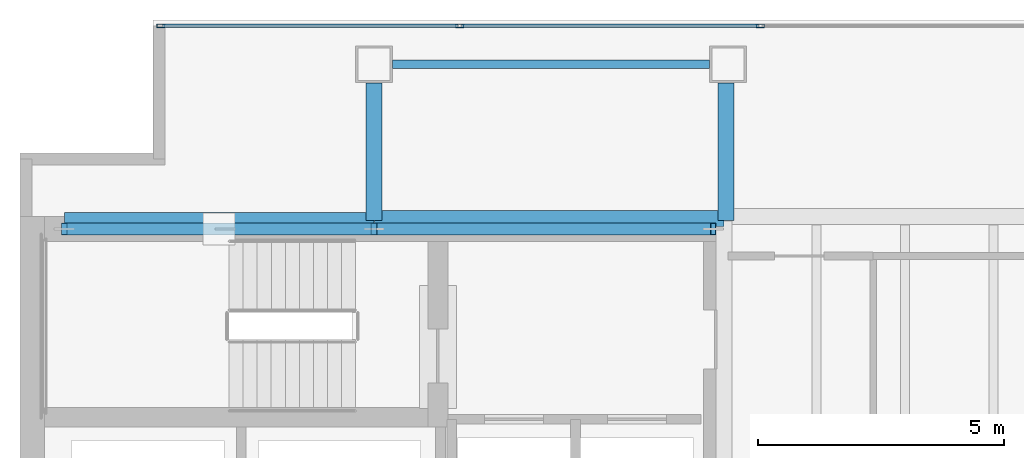
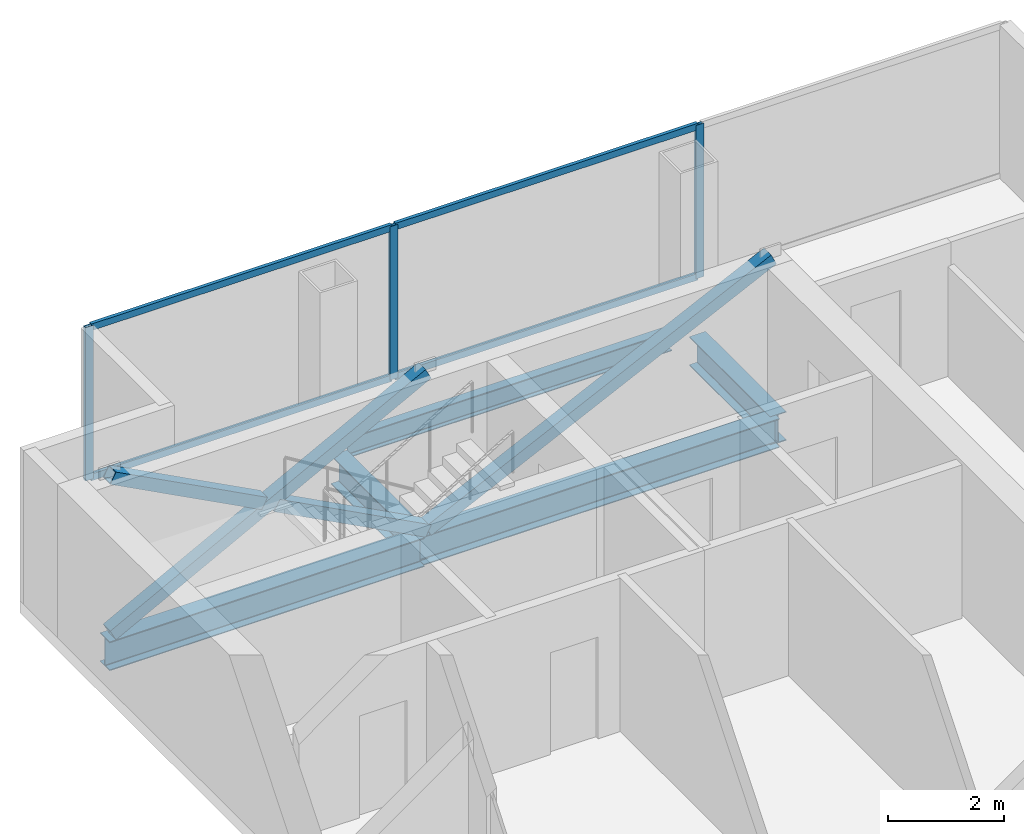
# One storey, part 17 of 23: 11 members, 5 beams, 1 element without a shape of its own.
"""IFC4 building model written with IfcOpenShell, lengths in metres."""

from ifc_helpers import new_model, si_unit, direction, frame, origin, origin_2d, place, context, subcontext, project, spatial, hollow_rectangle, i_section, extrude, material, material_profile, profile_set, type_object, element, aggregate, save


model = new_model("IFC4")

# Units and contexts
model_context = context("Model", 3, precision=1e-05, world=origin(), true_north=direction((0.0, 1.0)))
body_context = subcontext(model_context, "Body", "Model", "MODEL_VIEW")
ifc_project = project(units=[si_unit("LENGTHUNIT", "METRE"), si_unit("AREAUNIT", "SQUARE_METRE"), si_unit("VOLUMEUNIT", "CUBIC_METRE"), si_unit("PLANEANGLEUNIT", "RADIAN"), si_unit("MASSUNIT", "GRAM", prefix="KILO")], contexts=[model_context])

# Site, building, storey
site_placement = place(None, origin())
site = spatial("IfcSite", under=ifc_project, at=site_placement, CompositionType="ELEMENT")
building_placement = place(site_placement, origin())
building = spatial("IfcBuilding", under=site, at=building_placement, Name="Cobrela Telecom Tower", CompositionType="ELEMENT")
storey_placement = place(building_placement, frame((0.0, 0.0, 229.25)))
storey = spatial("IfcBuildingStorey", under=building, at=storey_placement, Name="L59", CompositionType="ELEMENT", Elevation=229.25)

# Beams
ifc_material_1 = material(Name="Steel ASTM A992 Grade 50", Category="steel")
ifc_material_profile_1 = material_profile(ifc_material_1, i_section(OverallWidth=0.324951171875, OverallDepth=0.612060546875, WebThickness=0.0126953125, FlangeThickness=0.01904296875, FilletRadius=0.014892578125, at=origin_2d()), Name="W24X104")
ifc_profile_set_1 = profile_set([ifc_material_profile_1], Name="Steel ASTM A992 Grade 50")
beam_type_1 = type_object("IfcBeamType", Name="BM-GIRD-07", PredefinedType="USERDEFINED", material=ifc_profile_set_1)
beam_1_placement = place(storey_placement, frame((0.905029296875, 35.919921875, -0.56591796875), z_axis=(1.0, 0.0, 0.0), x_axis=(0.0, 1.0, 0.0)))
element("IfcBeam", 1, at=beam_1_placement, inside=storey, type_object=beam_type_1, Name="L59 Primary Girder X20", ObjectType="GIRDER", PredefinedType="USERDEFINED", context=body_context, shape_type="SweptSolid", body=[
    extrude(i_section(OverallWidth=0.324951171875, OverallDepth=0.612060546875, WebThickness=0.0126953125, FlangeThickness=0.01904296875, FilletRadius=0.014892578125, at=origin_2d()), origin(), (0.0, 0.0, 1.0), 6.2900390625),
])
beam_2_placement = place(storey_placement, frame((7.205078125, 35.9599609375, -0.56591796875), z_axis=(1.0, 0.0, 0.0), x_axis=(0.0, 1.0, 0.0)))
element("IfcBeam", 2, at=beam_2_placement, inside=storey, type_object=beam_type_1, Name="L59 Primary Girder X21", ObjectType="GIRDER", PredefinedType="USERDEFINED", context=body_context, shape_type="SweptSolid", body=[
    extrude(i_section(OverallWidth=0.324951171875, OverallDepth=0.612060546875, WebThickness=0.0126953125, FlangeThickness=0.01904296875, FilletRadius=0.014892578125, at=origin_2d()), origin(), (0.0, 0.0, 1.0), 7.10986328125),
])
for number, where, z_axis, x_axis, name in (
    (3, (7.199951171875, 35.925048828125, -0.56591796875), (0.0, 1.0, 0.0), (-1.0, 0.0, 0.0), "L59 Primary Girder Y25"),
    (4, (14.360107421875, 35.925048828125, -0.56591796875), (0.0, 1.0, 0.0), (-1.0, 0.0, 0.0), "L59 Primary Girder Y31"),
):
    element("IfcBeam", number, at=place(storey_placement, frame(where, z_axis=z_axis, x_axis=x_axis)), inside=storey, type_object=beam_type_1, Name=name, ObjectType="GIRDER", PredefinedType="USERDEFINED", context=body_context, shape_type="SweptSolid", body=[
        extrude(i_section(OverallWidth=0.324951171875, OverallDepth=0.612060546875, WebThickness=0.0126953125, FlangeThickness=0.01904296875, FilletRadius=0.014892578125, at=origin_2d()), origin(), (0.0, 0.0, 1.0), 2.794921875),
    ])
ifc_material_profile_2 = material_profile(ifc_material_1, i_section(OverallWidth=0.179931640625, OverallDepth=0.4169921875, WebThickness=0.010986328125, FlangeThickness=0.01806640625, FilletRadius=0.011962890625, at=origin_2d()), Name="W16X57")
ifc_profile_set_2 = profile_set([ifc_material_profile_2], Name="Steel ASTM A992 Grade 50")
beam_type_2 = type_object("IfcBeamType", Name="BM-SPAND-06", PredefinedType="SPANDREL", material=ifc_profile_set_2)
beam_3_placement = place(storey_placement, frame((7.580078125, 39.10009765625, -0.468505859375), z_axis=(1.0, 0.0, 0.0), x_axis=(0.0, 1.0, 0.0)))
element("IfcBeam", 5, at=beam_3_placement, inside=storey, type_object=beam_type_2, Name="L59 Perimeter Spandrel X23", PredefinedType="SPANDREL", context=body_context, shape_type="SweptSolid", body=[
    extrude(i_section(OverallWidth=0.179931640625, OverallDepth=0.4169921875, WebThickness=0.010986328125, FlangeThickness=0.01806640625, FilletRadius=0.011962890625, at=origin_2d()), origin(), (0.0, 0.0, 1.0), 6.43994140625),
])

# Curtain wall, members
ifc_material_2 = material(Name="Anodized Bronze Aluminium 6063-T6", Category="aluminium")
curtain_wall_type = type_object("IfcCurtainWallType", Name="CW-SYS-OFF-LO", PredefinedType="USERDEFINED", material=ifc_material_2)
curtain_wall_placement = place(storey_placement, origin())
curtain_wall = element("IfcCurtainWall", 6, at=curtain_wall_placement, inside=storey, type_object=curtain_wall_type, Name="L59 Unitised Bronze Curtain Wall 07", ObjectType="UNITISED CURTAIN WALL", PredefinedType="USERDEFINED")
ifc_material_profile_3 = material_profile(ifc_material_2, hollow_rectangle(XDim=0.070068359375, YDim=0.159912109375, WallThickness=0.00390625, at=origin_2d()), Name="ALU 70x160x4")
ifc_profile_set_3 = profile_set([ifc_material_profile_3], Name="Anodized Bronze Aluminium 6063-T6")
member_type_1 = type_object("IfcMemberType", Name="CW-SYS-OFF-LO-MUL", PredefinedType="MULLION", material=ifc_profile_set_3)
member_1_placement = place(storey_placement, frame((2.864990234375, 39.8798828125, 0.0), z_axis=(0.0, 0.0, 1.0), x_axis=(0.0, 1.0, 0.0)))
member_1 = element("IfcMember", 7, at=member_1_placement, type_object=member_type_1, Name="CW-OFF-LO mullion 1", PredefinedType="MULLION", context=body_context, shape_type="SweptSolid", body=[
    extrude(hollow_rectangle(XDim=0.070068359375, YDim=0.159912109375, WallThickness=0.00390625, at=origin_2d()), origin(), (0.0, 0.0, 1.0), 3.239990234375),
])
member_2_placement = place(storey_placement, frame((8.943359375, 39.8798828125, 0.0), z_axis=(0.0, 0.0, 1.0), x_axis=(0.0, 1.0, 0.0)))
member_2 = element("IfcMember", 8, at=member_2_placement, type_object=member_type_1, Name="CW-OFF-LO mullion 2", PredefinedType="MULLION", context=body_context, shape_type="SweptSolid", body=[
    extrude(hollow_rectangle(XDim=0.070068359375, YDim=0.159912109375, WallThickness=0.00390625, at=origin_2d()), origin(), (0.0, 0.0, 1.0), 3.239990234375),
])
member_3_placement = place(storey_placement, frame((15.056640625, 39.8798828125, 0.0), z_axis=(0.0, 0.0, 1.0), x_axis=(0.0, 1.0, 0.0)))
member_3 = element("IfcMember", 9, at=member_3_placement, type_object=member_type_1, Name="CW-OFF-LO mullion 3", PredefinedType="MULLION", context=body_context, shape_type="SweptSolid", body=[
    extrude(hollow_rectangle(XDim=0.070068359375, YDim=0.159912109375, WallThickness=0.00390625, at=origin_2d()), origin(), (0.0, 0.0, 1.0), 3.239990234375),
])
ifc_material_profile_4 = material_profile(ifc_material_2, hollow_rectangle(XDim=0.070068359375, YDim=0.139892578125, WallThickness=0.00390625, at=origin_2d()), Name="ALU 70x140x4")
ifc_profile_set_4 = profile_set([ifc_material_profile_4], Name="Anodized Bronze Aluminium 6063-T6")
member_type_2 = type_object("IfcMemberType", Name="CW-SYS-OFF-LO-TRN", PredefinedType="USERDEFINED", material=ifc_profile_set_4)
member_4_placement = place(storey_placement, frame((2.89990234375, 39.8798828125, 0.034912109375), z_axis=(1.0, 0.0, 0.0), x_axis=(0.0, 1.0, 0.0)))
member_4 = element("IfcMember", 10, at=member_4_placement, type_object=member_type_2, Name="CW-OFF-LO transom 1.1", ObjectType="TRANSOM", PredefinedType="USERDEFINED", context=body_context, shape_type="SweptSolid", body=[
    extrude(hollow_rectangle(XDim=0.070068359375, YDim=0.139892578125, WallThickness=0.00390625, at=origin_2d()), origin(), (0.0, 0.0, 1.0), 6.008544921875),
])
member_5_placement = place(storey_placement, frame((2.89990234375, 39.8798828125, 3.205078125), z_axis=(1.0, 0.0, 0.0), x_axis=(0.0, 1.0, 0.0)))
member_5 = element("IfcMember", 11, at=member_5_placement, type_object=member_type_2, Name="CW-OFF-LO transom 1.2", ObjectType="TRANSOM", PredefinedType="USERDEFINED", context=body_context, shape_type="SweptSolid", body=[
    extrude(hollow_rectangle(XDim=0.070068359375, YDim=0.139892578125, WallThickness=0.00390625, at=origin_2d()), origin(), (0.0, 0.0, 1.0), 6.008544921875),
])
member_6_placement = place(storey_placement, frame((8.978271484375, 39.8798828125, 0.034912109375), z_axis=(1.0, 0.0, 0.0), x_axis=(0.0, 1.0, 0.0)))
member_6 = element("IfcMember", 12, at=member_6_placement, type_object=member_type_2, Name="CW-OFF-LO transom 2.1", ObjectType="TRANSOM", PredefinedType="USERDEFINED", context=body_context, shape_type="SweptSolid", body=[
    extrude(hollow_rectangle(XDim=0.070068359375, YDim=0.139892578125, WallThickness=0.00390625, at=origin_2d()), origin(), (0.0, 0.0, 1.0), 6.04345703125),
])
member_7_placement = place(storey_placement, frame((8.978271484375, 39.8798828125, 3.205078125), z_axis=(1.0, 0.0, 0.0), x_axis=(0.0, 1.0, 0.0)))
member_7 = element("IfcMember", 13, at=member_7_placement, type_object=member_type_2, Name="CW-OFF-LO transom 2.2", ObjectType="TRANSOM", PredefinedType="USERDEFINED", context=body_context, shape_type="SweptSolid", body=[
    extrude(hollow_rectangle(XDim=0.070068359375, YDim=0.139892578125, WallThickness=0.00390625, at=origin_2d()), origin(), (0.0, 0.0, 1.0), 6.04345703125),
])
aggregate(curtain_wall, [member_1, member_2, member_3, member_4, member_5, member_6, member_7])

# Members
ifc_material_3 = material(Name="Steel ASTM A572 Grade 50", Category="steel")
ifc_material_profile_5 = material_profile(ifc_material_3, hollow_rectangle(XDim=0.25, YDim=0.25, WallThickness=0.013916015625, at=origin_2d()), Name="HSS 250x250x14")
ifc_profile_set_5 = profile_set([ifc_material_profile_5], Name="Steel ASTM A572 Grade 50")
member_type_3 = type_object("IfcMemberType", Name="MBR-EXO-04", PredefinedType="BRACE", material=ifc_profile_set_5)
member_8_placement = place(storey_placement, frame((0.89990234375, 35.75, -0.0400390625), z_axis=(0.884671945606, 0.0, 0.466214058837), x_axis=(0.0, 1.0, 0.0)))
element("IfcMember", 14, at=member_8_placement, inside=storey, type_object=member_type_3, Name="L59 Core Flange Steel X-Brace Continuous A", PredefinedType="BRACE", context=body_context, shape_type="SweptSolid", body=[
    extrude(hollow_rectangle(XDim=0.25, YDim=0.25, WallThickness=0.013916015625, at=origin_2d()), origin(), (0.0, 0.0, 1.0), 7.121337890625),
])
for number, where, z_axis, x_axis, name in (
    (15, (7.199951171875, 35.75, -0.0400390625), (-0.884673479945, 0.0, 0.466211147317), (0.0, -1.0, 0.0), "L59 Core Flange Steel X-Brace Split B1"),
    (16, (3.926025390625, 35.75, 1.685302734375), (-0.884673479945, 0.0, 0.466211147317), (0.0, -1.0, 0.0), "L59 Core Flange Steel X-Brace Split B2"),
):
    element("IfcMember", number, at=place(storey_placement, frame(where, z_axis=z_axis, x_axis=x_axis)), inside=storey, type_object=member_type_3, Name=name, PredefinedType="BRACE", context=body_context, shape_type="SweptSolid", body=[
        extrude(hollow_rectangle(XDim=0.25, YDim=0.25, WallThickness=0.013916015625, at=origin_2d()), origin(), (0.0, 0.0, 1.0), 3.420654296875),
    ])
member_9_placement = place(storey_placement, frame((7.199951171875, 35.75, -0.0400390625), z_axis=(0.901115182893, 0.0, 0.43357978177), x_axis=(0.0, 1.0, 0.0)))
element("IfcMember", 17, at=member_9_placement, inside=storey, type_object=member_type_3, Name="L59 Core Flange Steel Brace N2", PredefinedType="BRACE", context=body_context, shape_type="SweptSolid", body=[
    extrude(hollow_rectangle(XDim=0.25, YDim=0.25, WallThickness=0.013916015625, at=origin_2d()), origin(), (0.0, 0.0, 1.0), 7.6572265625),
])

save(model, "model.ifc")
